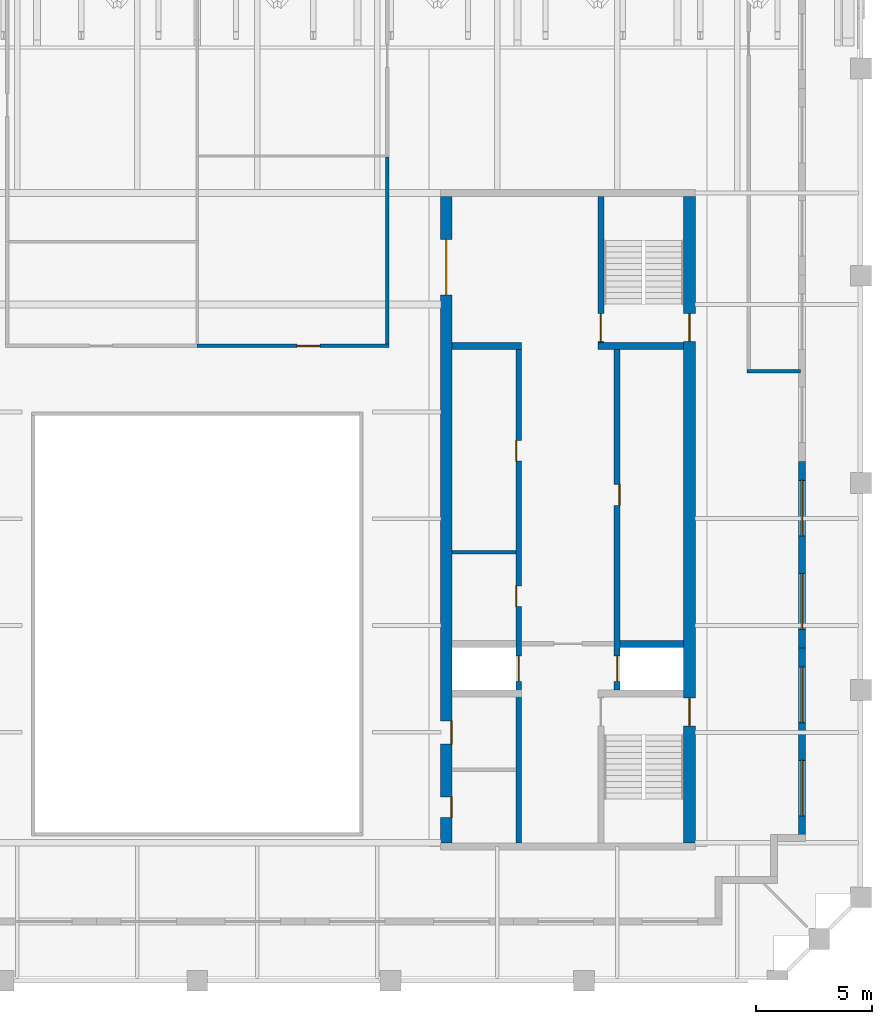
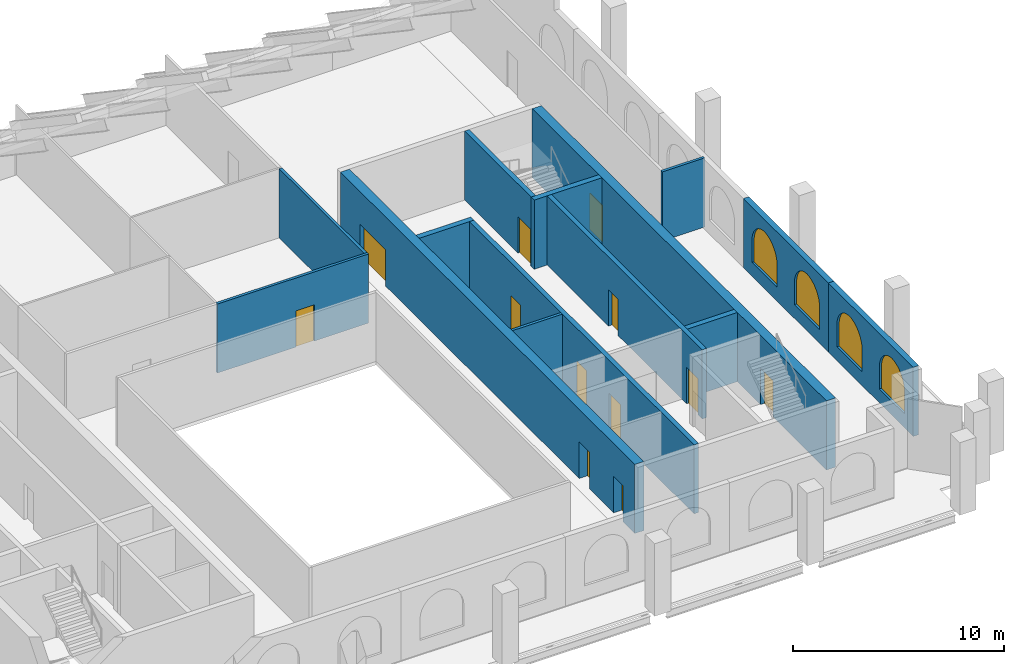
# One storey, part 5 of 8: 14 walls, 12 doors, 4 windows, 16 openings.
"""IFC4 building model written with IfcOpenShell, lengths in metres."""

from ifc_helpers import new_model, si_unit, direction, frame, frame_2d, origin, place, context, subcontext, project, spatial, polyline, rectangle, outline, extrude, material, layer, layer_set, type_object, element, fill, save


model = new_model("IFC4")

# Units and contexts
model_context = context("Model", 3, precision=1e-05, world=origin(), true_north=direction((0.0, 1.0)))
body_context = subcontext(model_context, "Body", "Model", "MODEL_VIEW")
ifc_project = project(units=[si_unit("LENGTHUNIT", "METRE"), si_unit("AREAUNIT", "SQUARE_METRE"), si_unit("VOLUMEUNIT", "CUBIC_METRE"), si_unit("PLANEANGLEUNIT", "RADIAN"), si_unit("MASSUNIT", "GRAM", prefix="KILO")], contexts=[model_context])

# Site, building, storey
site_placement = place(None, origin())
site = spatial("IfcSite", under=ifc_project, at=site_placement, CompositionType="ELEMENT")
building_placement = place(site_placement, origin())
building = spatial("IfcBuilding", under=site, at=building_placement, Name="Ogive Exchange Tower", CompositionType="ELEMENT")
storey_placement = place(building_placement, frame((0.0, 0.0, 381.60009765625)))
storey = spatial("IfcBuildingStorey", under=building, at=storey_placement, Name="C04", CompositionType="ELEMENT", Elevation=381.60009765625)

# Walls
ifc_material_1 = material(Name="Gypsum board partition")
ifc_layer_1 = layer(ifc_material_1, 0.14990234375)
ifc_layer_set_1 = layer_set([ifc_layer_1], Name="Core room partition 150 gypsum")
wall_type_1 = type_object("IfcWallType", Name="Core room partition 150 gypsum", PredefinedType="PARTITIONING", material=ifc_layer_set_1)
wall_1_placement = place(storey_placement, frame((11.0, 10.10009765625, 0.0), z_axis=(0.0, 0.0, 1.0), x_axis=(1.0, 0.0, 0.0)))
element("IfcWall", 1, at=wall_1_placement, inside=storey, type_object=wall_type_1, Name="E row B bay partition 1-1", PredefinedType="PARTITIONING", context=body_context, shape_type="SweptSolid", body=[
    extrude(rectangle(XDim=2.75, YDim=0.14990234375, at=frame_2d((1.375, 0.0))), origin(), (0.0, 0.0, 1.0), 4.0),
])
ifc_layer_2 = layer(ifc_material_1, 0.300048828125)
ifc_layer_set_2 = layer_set([ifc_layer_2], Name="Core room partition 300 gypsum")
wall_type_2 = type_object("IfcWallType", Name="Core room partition 300 gypsum", PredefinedType="PARTITIONING", material=ifc_layer_set_2)
wall_2_placement = place(storey_placement, frame((11.0, 19.0, 0.0), z_axis=(0.0, 0.0, 1.0), x_axis=(1.0, 0.0, 0.0)))
element("IfcWall", 2, at=wall_2_placement, inside=storey, type_object=wall_type_2, Name="E row B room end wall 7", PredefinedType="PARTITIONING", context=body_context, shape_type="SweptSolid", body=[
    extrude(rectangle(XDim=3.0, YDim=0.300048828125, at=frame_2d((1.5, 0.0))), origin(), (0.0, 0.0, 1.0), 4.0),
])

# Wall, opening, door
ifc_material_2 = material(Name="Fire partition EI 60 150")
ifc_layer_3 = layer(ifc_material_2, 0.14990234375)
ifc_layer_set_3 = layer_set([ifc_layer_3], Name="Fire partition EI 60 150")
wall_type_3 = type_object("IfcWallType", Name="Fire partition EI 60 150", PredefinedType="PARTITIONING", material=ifc_layer_set_3)
wall_3_placement = place(storey_placement, frame((0.0, 19.0, 0.0), z_axis=(0.0, 0.0, 1.0), x_axis=(1.0, 0.0, 0.0)))
wall_3 = element("IfcWall", 3, at=wall_3_placement, inside=storey, type_object=wall_type_3, Name="C04-PWL-008", PredefinedType="PARTITIONING", context=body_context, shape_type="SweptSolid", body=[
    extrude(rectangle(XDim=8.27490234375, YDim=0.14990234375, at=frame_2d((4.137451171875, 0.0))), origin(), (0.0, 0.0, 1.0), 4.0),
])
opening_1_placement = place(wall_3_placement, frame((4.300048828125, 0.0, 0.0)))
opening_1 = element("IfcOpeningElement", 4, at=opening_1_placement, cuts=wall_3, Name="Opening C04-I01", PredefinedType="OPENING", context=body_context, shape_type="SweptSolid", body=[
    extrude(rectangle(XDim=1.0, YDim=2.10009765625, at=frame_2d((0.5, 1.050048828125))), frame((0.0, 0.0849609375, 0.0), z_axis=(0.0, -1.0, 0.0), x_axis=(1.0, 0.0, 0.0)), (0.0, 0.0, 1.0), 0.169921875),
])
ifc_material_3 = material(Name="Fire door FD 30S 1000 x 2100")
door_type_1 = type_object("IfcDoorType", Name="Fire door FD 30S 1000 x 2100", OperationType="NOTDEFINED", PredefinedType="DOOR", material=ifc_material_3)
door_1_placement = place(opening_1_placement, origin())
door_1 = element("IfcDoor", 5, at=door_1_placement, inside=storey, type_object=door_type_1, Name="C04-IDR-001", ObjectType="DT3", OperationType="SINGLE_SWING_LEFT", OverallHeight=2.10009765625, OverallWidth=1.0, PredefinedType="DOOR", context=body_context, shape_type="SweptSolid", body=[
    extrude(rectangle(XDim=1.0, YDim=2.10009765625, at=frame_2d((0.5, 1.050048828125))), frame((0.0, 0.02490234375, 0.0), z_axis=(0.0, -1.0, 0.0), x_axis=(1.0, 0.0, 0.0)), (0.0, 0.0, 1.0), 0.050048828125),
])
fill(opening_1, door_1)

# Walls
wall_4_placement = place(storey_placement, frame((8.199951171875, 19.074951171875, 0.0), z_axis=(0.0, 0.0, 1.0), x_axis=(0.0, 1.0, 0.0)))
element("IfcWall", 6, at=wall_4_placement, inside=storey, type_object=wall_type_3, Name="C04-PWL-012", PredefinedType="PARTITIONING", context=body_context, shape_type="SweptSolid", body=[
    extrude(rectangle(XDim=8.074951171875, YDim=0.14990234375, at=frame_2d((4.03759765625, 0.0))), origin(), (0.0, 0.0, 1.0), 4.0),
])
wall_5_placement = place(storey_placement, frame((23.72509765625, 17.909912109375, 0.0), z_axis=(0.0, 0.0, 1.0), x_axis=(1.0, 0.0, 0.0)))
element("IfcWall", 7, at=wall_5_placement, inside=storey, type_object=wall_type_3, Name="C04-PWL-014", PredefinedType="PARTITIONING", context=body_context, shape_type="SweptSolid", body=[
    extrude(rectangle(XDim=2.324951171875, YDim=0.14990234375, at=frame_2d((1.16259765625, 0.0))), origin(), (0.0, 0.0, 1.0), 4.0),
])

# Wall, opening, door
ifc_material_4 = material(Name="Concrete C70/85", Category="concrete")
ifc_layer_4 = layer(ifc_material_4, 0.25)
ifc_layer_set_4 = layer_set([ifc_layer_4], Name="RC core wall 250 C70/85")
wall_type_4 = type_object("IfcWallType", Name="RC core wall 250 C70/85", PredefinedType="SHEAR", material=ifc_layer_set_4)
wall_6_placement = place(storey_placement, frame((17.425048828125, 19.14990234375, 0.0), z_axis=(0.0, 0.0, 1.0), x_axis=(0.0, 1.0, 0.0)))
wall_6 = element("IfcWall", 8, at=wall_6_placement, inside=storey, type_object=wall_type_4, Name="E stair N front wall", PredefinedType="SHEAR", context=body_context, shape_type="SweptSolid", body=[
    extrude(rectangle(XDim=6.300048828125, YDim=0.25, at=frame_2d((3.14990234375, 0.0))), origin(), (0.0, 0.0, 1.0), 4.0),
])
opening_2_placement = place(wall_6_placement, frame((0.050048828125, 0.0, 0.0)))
opening_2 = element("IfcOpeningElement", 9, at=opening_2_placement, cuts=wall_6, Name="Opening C04-C23", PredefinedType="OPENING", context=body_context, shape_type="SweptSolid", body=[
    extrude(rectangle(XDim=1.199951171875, YDim=2.10009765625, at=frame_2d((0.60009765625, 1.050048828125))), frame((0.0, 0.135009765625, 0.0), z_axis=(0.0, -1.0, 0.0), x_axis=(1.0, 0.0, 0.0)), (0.0, 0.0, 1.0), 0.27001953125),
])
ifc_material_5 = material(Name="Steel fire door", Category="steel")
door_type_2 = type_object("IfcDoorType", Name="Stair door FD90 1200 x 2100", OperationType="NOTDEFINED", PredefinedType="DOOR", material=ifc_material_5)
door_2_placement = place(opening_2_placement, frame((1.199951171875, 0.0, 0.0), z_axis=(0.0, 0.0, 1.0), x_axis=(-1.0, 0.0, 0.0)))
door_2 = element("IfcDoor", 10, at=door_2_placement, inside=storey, type_object=door_type_2, Name="Stair door", ObjectType="CD5", OperationType="SINGLE_SWING_LEFT", OverallHeight=2.10009765625, OverallWidth=1.199951171875, PredefinedType="DOOR", context=body_context, shape_type="SweptSolid", body=[
    extrude(rectangle(XDim=1.199951171875, YDim=2.10009765625, at=frame_2d((0.60009765625, 1.050048828125))), frame((0.0, 0.02490234375, 0.0), z_axis=(0.0, -1.0, 0.0), x_axis=(1.0, 0.0, 0.0)), (0.0, 0.0, 1.0), 0.050048828125),
])
fill(opening_2, door_2)

# Wall, openings, doors
wall_7_placement = place(storey_placement, frame((18.125, 4.14990234375, 0.0), z_axis=(0.0, 0.0, 1.0), x_axis=(0.0, 1.0, 0.0)))
wall_7 = element("IfcWall", 11, at=wall_7_placement, inside=storey, type_object=wall_type_4, Name="E row A front wall", PredefinedType="SHEAR", context=body_context, shape_type="SweptSolid", body=[
    extrude(rectangle(XDim=14.7001953125, YDim=0.25, at=frame_2d((7.35009765625, 0.0))), origin(), (0.0, 0.0, 1.0), 4.0),
])
opening_3_placement = place(wall_7_placement, frame((7.971435546875, 0.0, 0.0)))
opening_3 = element("IfcOpeningElement", 12, at=opening_3_placement, cuts=wall_7, Name="Opening C04-C14", PredefinedType="OPENING", context=body_context, shape_type="SweptSolid", body=[
    extrude(rectangle(XDim=0.89990234375, YDim=2.10009765625, at=frame_2d((0.449951171875, 1.050048828125))), frame((0.0, 0.135009765625, 0.0), z_axis=(0.0, -1.0, 0.0), x_axis=(1.0, 0.0, 0.0)), (0.0, 0.0, 1.0), 0.27001953125),
])
opening_4_placement = place(wall_7_placement, frame((0.371337890625, 0.0, 0.0)))
opening_4 = element("IfcOpeningElement", 13, at=opening_4_placement, cuts=wall_7, Name="Opening C04-C15", PredefinedType="OPENING", context=body_context, shape_type="SweptSolid", body=[
    extrude(rectangle(XDim=1.10009765625, YDim=2.10009765625, at=frame_2d((0.550048828125, 1.050048828125))), frame((0.0, 0.135009765625, 0.0), z_axis=(0.0, -1.0, 0.0), x_axis=(1.0, 0.0, 0.0)), (0.0, 0.0, 1.0), 0.27001953125),
])
ifc_material_6 = material(Name="Stainless steel", Category="steel")
door_type_3 = type_object("IfcDoorType", Name="Lift landing door FD90 1100 x 2100", OperationType="SLIDING_TO_LEFT", PredefinedType="DOOR", material=ifc_material_6)
door_3_placement = place(opening_4_placement, origin())
door_3 = element("IfcDoor", 14, at=door_3_placement, inside=storey, type_object=door_type_3, Name="Lift landing door FF2", ObjectType="LD", OperationType="SLIDING_TO_LEFT", OverallHeight=2.10009765625, OverallWidth=1.10009765625, PredefinedType="DOOR", context=body_context, shape_type="SweptSolid", body=[
    extrude(rectangle(XDim=1.10009765625, YDim=2.10009765625, at=frame_2d((0.550048828125, 1.050048828125))), frame((0.0, 0.02490234375, 0.0), z_axis=(0.0, -1.0, 0.0), x_axis=(1.0, 0.0, 0.0)), (0.0, 0.0, 1.0), 0.050048828125),
])
fill(opening_4, door_3)
door_type_4 = type_object("IfcDoorType", Name="Riser door FD60 900 x 2100", OperationType="NOTDEFINED", PredefinedType="DOOR", material=ifc_material_5)
door_4_placement = place(opening_3_placement, frame((0.89990234375, -0.2001953125, 0.0), z_axis=(0.0, 0.0, 1.0), x_axis=(-1.0, 0.0, 0.0)))
door_4 = element("IfcDoor", 15, at=door_4_placement, inside=storey, type_object=door_type_4, Name="Riser door", ObjectType="CD2", OperationType="SINGLE_SWING_LEFT", OverallHeight=2.10009765625, OverallWidth=0.89990234375, PredefinedType="DOOR", context=body_context, shape_type="SweptSolid", body=[
    extrude(rectangle(XDim=0.89990234375, YDim=2.10009765625, at=frame_2d((0.449951171875, 1.050048828125))), frame((0.0, -0.0751953125, 0.0), z_axis=(0.0, -1.0, 0.0), x_axis=(1.0, 0.0, 0.0)), (0.0, 0.0, 1.0), 0.050048828125),
])
fill(opening_3, door_4)

wall_8_placement = place(storey_placement, frame((13.875, -2.449951171875, 0.0), z_axis=(0.0, 0.0, 1.0), x_axis=(0.0, 1.0, 0.0)))
wall_8 = element("IfcWall", 16, at=wall_8_placement, inside=storey, type_object=wall_type_4, Name="E row B front wall", PredefinedType="SHEAR", context=body_context, shape_type="SweptSolid", body=[
    extrude(rectangle(XDim=21.300048828125, YDim=0.25, at=frame_2d((10.64990234375, 0.0))), origin(), (0.0, 0.0, 1.0), 4.0),
])
opening_5_placement = place(wall_8_placement, frame((10.1962890625, 0.0, 0.0)))
opening_5 = element("IfcOpeningElement", 17, at=opening_5_placement, cuts=wall_8, Name="Opening C04-C16", PredefinedType="OPENING", context=body_context, shape_type="SweptSolid", body=[
    extrude(rectangle(XDim=0.89990234375, YDim=2.10009765625, at=frame_2d((0.449951171875, 1.050048828125))), frame((0.0, 0.135009765625, 0.0), z_axis=(0.0, -1.0, 0.0), x_axis=(1.0, 0.0, 0.0)), (0.0, 0.0, 1.0), 0.27001953125),
])
opening_6_placement = place(wall_8_placement, frame((16.47509765625, 0.0, 0.0)))
opening_6 = element("IfcOpeningElement", 18, at=opening_6_placement, cuts=wall_8, Name="Opening C04-C17", PredefinedType="OPENING", context=body_context, shape_type="SweptSolid", body=[
    extrude(rectangle(XDim=0.89990234375, YDim=2.10009765625, at=frame_2d((0.449951171875, 1.050048828125))), frame((0.0, 0.135009765625, 0.0), z_axis=(0.0, -1.0, 0.0), x_axis=(1.0, 0.0, 0.0)), (0.0, 0.0, 1.0), 0.27001953125),
])
opening_7_placement = place(wall_8_placement, frame((6.971435546875, 0.0, 0.0)))
opening_7 = element("IfcOpeningElement", 19, at=opening_7_placement, cuts=wall_8, Name="Opening C04-C18", PredefinedType="OPENING", context=body_context, shape_type="SweptSolid", body=[
    extrude(rectangle(XDim=1.10009765625, YDim=2.10009765625, at=frame_2d((0.550048828125, 1.050048828125))), frame((0.0, 0.135009765625, 0.0), z_axis=(0.0, -1.0, 0.0), x_axis=(1.0, 0.0, 0.0)), (0.0, 0.0, 1.0), 0.27001953125),
])
door_5_placement = place(opening_7_placement, origin())
door_5 = element("IfcDoor", 20, at=door_5_placement, inside=storey, type_object=door_type_3, Name="Lift landing door SV2", ObjectType="LD", OperationType="SLIDING_TO_LEFT", OverallHeight=2.10009765625, OverallWidth=1.10009765625, PredefinedType="DOOR", context=body_context, shape_type="SweptSolid", body=[
    extrude(rectangle(XDim=1.10009765625, YDim=2.10009765625, at=frame_2d((0.550048828125, 1.050048828125))), frame((0.0, 0.02490234375, 0.0), z_axis=(0.0, -1.0, 0.0), x_axis=(1.0, 0.0, 0.0)), (0.0, 0.0, 1.0), 0.050048828125),
])
fill(opening_7, door_5)
door_6_placement = place(opening_5_placement, origin())
door_6 = element("IfcDoor", 21, at=door_6_placement, inside=storey, type_object=door_type_4, Name="Riser door", ObjectType="CD2", OperationType="SINGLE_SWING_RIGHT", OverallHeight=2.10009765625, OverallWidth=0.89990234375, PredefinedType="DOOR", context=body_context, shape_type="SweptSolid", body=[
    extrude(rectangle(XDim=0.89990234375, YDim=2.10009765625, at=frame_2d((0.449951171875, 1.050048828125))), frame((0.0, 0.125, 0.0), z_axis=(0.0, -1.0, 0.0), x_axis=(1.0, 0.0, 0.0)), (0.0, 0.0, 1.0), 0.050048828125),
])
fill(opening_5, door_6)
door_7_placement = place(opening_6_placement, origin())
door_7 = element("IfcDoor", 22, at=door_7_placement, inside=storey, type_object=door_type_4, Name="Riser door", ObjectType="CD2", OperationType="SINGLE_SWING_RIGHT", OverallHeight=2.10009765625, OverallWidth=0.89990234375, PredefinedType="DOOR", context=body_context, shape_type="SweptSolid", body=[
    extrude(rectangle(XDim=0.89990234375, YDim=2.10009765625, at=frame_2d((0.449951171875, 1.050048828125))), frame((0.0, 0.125, 0.0), z_axis=(0.0, -1.0, 0.0), x_axis=(1.0, 0.0, 0.0)), (0.0, 0.0, 1.0), 0.050048828125),
])
fill(opening_6, door_7)

# Walls
ifc_layer_5 = layer(ifc_material_4, 0.300048828125)
ifc_layer_set_5 = layer_set([ifc_layer_5], Name="RC core wall 300 C70/85")
wall_type_5 = type_object("IfcWallType", Name="RC core wall 300 C70/85", PredefinedType="SHEAR", material=ifc_layer_set_5)
wall_9_placement = place(storey_placement, frame((17.300048828125, 19.0, 0.0), z_axis=(0.0, 0.0, 1.0), x_axis=(1.0, 0.0, 0.0)))
element("IfcWall", 23, at=wall_9_placement, inside=storey, type_object=wall_type_5, Name="E stair N south wall", PredefinedType="SHEAR", context=body_context, shape_type="SweptSolid", body=[
    extrude(rectangle(XDim=3.699951171875, YDim=0.300048828125, at=frame_2d((1.85009765625, 0.0))), origin(), (0.0, 0.0, 1.0), 4.0),
])
wall_10_placement = place(storey_placement, frame((18.25, 6.142822265625, 0.0), z_axis=(0.0, 0.0, 1.0), x_axis=(1.0, 0.0, 0.0)))
element("IfcWall", 24, at=wall_10_placement, inside=storey, type_object=wall_type_5, Name="E row A divider 1", PredefinedType="SHEAR", context=body_context, shape_type="SweptSolid", body=[
    extrude(rectangle(XDim=2.75, YDim=0.300048828125, at=frame_2d((1.375, 0.0))), origin(), (0.0, 0.0, 1.0), 4.0),
])

# Wall, openings, doors
ifc_layer_6 = layer(ifc_material_4, 0.5)
ifc_layer_set_6 = layer_set([ifc_layer_6], Name="RC core wall 500 C70/85")
wall_type_6 = type_object("IfcWallType", Name="RC core wall 500 C70/85", PredefinedType="SHEAR", material=ifc_layer_set_6)
wall_11_placement = place(storey_placement, frame((21.25, -2.449951171875, 0.0), z_axis=(0.0, 0.0, 1.0), x_axis=(0.0, 1.0, 0.0)))
wall_11 = element("IfcWall", 25, at=wall_11_placement, inside=storey, type_object=wall_type_6, Name="E outer wall", PredefinedType="SHEAR", context=body_context, shape_type="SweptSolid", body=[
    extrude(rectangle(XDim=27.89990234375, YDim=0.5, at=frame_2d((13.949951171875, 0.0))), origin(), (0.0, 0.0, 1.0), 4.0),
])
opening_8_placement = place(wall_11_placement, frame((5.050048828125, 0.0, 0.0)))
opening_8 = element("IfcOpeningElement", 26, at=opening_8_placement, cuts=wall_11, Name="Opening C04-C22", PredefinedType="OPENING", context=body_context, shape_type="SweptSolid", body=[
    extrude(rectangle(XDim=1.199951171875, YDim=2.10009765625, at=frame_2d((0.60009765625, 1.050048828125))), frame((0.0, 0.260009765625, 0.0), z_axis=(0.0, -1.0, 0.0), x_axis=(1.0, 0.0, 0.0)), (0.0, 0.0, 1.0), 0.52001953125),
])
opening_9_placement = place(wall_11_placement, frame((21.64990234375, 0.0, 0.0)))
opening_9 = element("IfcOpeningElement", 27, at=opening_9_placement, cuts=wall_11, Name="Opening C04-C24", PredefinedType="OPENING", context=body_context, shape_type="SweptSolid", body=[
    extrude(rectangle(XDim=1.199951171875, YDim=2.10009765625, at=frame_2d((0.60009765625, 1.050048828125))), frame((0.0, 0.260009765625, 0.0), z_axis=(0.0, -1.0, 0.0), x_axis=(1.0, 0.0, 0.0)), (0.0, 0.0, 1.0), 0.52001953125),
])
door_8_placement = place(opening_8_placement, frame((1.199951171875, 0.0, 0.0), z_axis=(0.0, 0.0, 1.0), x_axis=(-1.0, 0.0, 0.0)))
door_8 = element("IfcDoor", 28, at=door_8_placement, inside=storey, type_object=door_type_2, Name="Stair door", ObjectType="CD5", OperationType="SINGLE_SWING_LEFT", OverallHeight=2.10009765625, OverallWidth=1.199951171875, PredefinedType="DOOR", context=body_context, shape_type="SweptSolid", body=[
    extrude(rectangle(XDim=1.199951171875, YDim=2.10009765625, at=frame_2d((0.60009765625, 1.050048828125))), frame((0.0, 0.02490234375, 0.0), z_axis=(0.0, -1.0, 0.0), x_axis=(1.0, 0.0, 0.0)), (0.0, 0.0, 1.0), 0.050048828125),
])
fill(opening_8, door_8)
door_9_placement = place(opening_9_placement, frame((1.199951171875, 0.0, 0.0), z_axis=(0.0, 0.0, 1.0), x_axis=(-1.0, 0.0, 0.0)))
door_9 = element("IfcDoor", 29, at=door_9_placement, inside=storey, type_object=door_type_2, Name="Stair door", ObjectType="CD5", OperationType="SINGLE_SWING_RIGHT", OverallHeight=2.10009765625, OverallWidth=1.199951171875, PredefinedType="DOOR", context=body_context, shape_type="SweptSolid", body=[
    extrude(rectangle(XDim=1.199951171875, YDim=2.10009765625, at=frame_2d((0.60009765625, 1.050048828125))), frame((0.0, 0.02490234375, 0.0), z_axis=(0.0, -1.0, 0.0), x_axis=(1.0, 0.0, 0.0)), (0.0, 0.0, 1.0), 0.050048828125),
])
fill(opening_9, door_9)

wall_12_placement = place(storey_placement, frame((10.75, -2.449951171875, 0.0), z_axis=(0.0, 0.0, 1.0), x_axis=(0.0, 1.0, 0.0)))
wall_12 = element("IfcWall", 30, at=wall_12_placement, inside=storey, type_object=wall_type_6, Name="E inner wall", PredefinedType="SHEAR", context=body_context, shape_type="SweptSolid", body=[
    extrude(rectangle(XDim=27.89990234375, YDim=0.5, at=frame_2d((13.949951171875, 0.0))), origin(), (0.0, 0.0, 1.0), 4.0),
])
opening_10_placement = place(wall_12_placement, frame((23.64990234375, 0.0, 0.0)))
opening_10 = element("IfcOpeningElement", 31, at=opening_10_placement, cuts=wall_12, Name="Opening C04-C20", PredefinedType="OPENING", context=body_context, shape_type="SweptSolid", body=[
    extrude(rectangle(XDim=2.39990234375, YDim=2.10009765625, at=frame_2d((1.199951171875, 1.050048828125))), frame((0.0, 0.260009765625, 0.0), z_axis=(0.0, -1.0, 0.0), x_axis=(1.0, 0.0, 0.0)), (0.0, 0.0, 1.0), 0.52001953125),
])
opening_11_placement = place(wall_12_placement, frame((1.08740234375, 0.0, 0.0)))
opening_11 = element("IfcOpeningElement", 32, at=opening_11_placement, cuts=wall_12, Name="Opening C04-C25", PredefinedType="OPENING", context=body_context, shape_type="SweptSolid", body=[
    extrude(rectangle(XDim=0.89990234375, YDim=2.10009765625, at=frame_2d((0.449951171875, 1.050048828125))), frame((0.0, 0.260009765625, 0.0), z_axis=(0.0, -1.0, 0.0), x_axis=(1.0, 0.0, 0.0)), (0.0, 0.0, 1.0), 0.52001953125),
])
opening_12_placement = place(wall_12_placement, frame((4.262451171875, 0.0, 0.0)))
opening_12 = element("IfcOpeningElement", 33, at=opening_12_placement, cuts=wall_12, Name="Opening C04-C26", PredefinedType="OPENING", context=body_context, shape_type="SweptSolid", body=[
    extrude(rectangle(XDim=1.0, YDim=2.10009765625, at=frame_2d((0.5, 1.050048828125))), frame((0.0, 0.260009765625, 0.0), z_axis=(0.0, -1.0, 0.0), x_axis=(1.0, 0.0, 0.0)), (0.0, 0.0, 1.0), 0.52001953125),
])
ifc_material_7 = material(Name="Timber fire door", Category="wood")
door_type_5 = type_object("IfcDoorType", Name="Accessible WC door FD30S 1000 x 2100", OperationType="NOTDEFINED", PredefinedType="DOOR", material=ifc_material_7)
door_10_placement = place(opening_12_placement, origin())
door_10 = element("IfcDoor", 34, at=door_10_placement, inside=storey, type_object=door_type_5, Name="Accessible WC door", ObjectType="CD7", OperationType="SINGLE_SWING_LEFT", OverallHeight=2.10009765625, OverallWidth=1.0, PredefinedType="DOOR", context=body_context, shape_type="SweptSolid", body=[
    extrude(rectangle(XDim=1.0, YDim=2.10009765625, at=frame_2d((0.5, 1.050048828125))), frame((0.0, -0.2001953125, 0.0), z_axis=(0.0, -1.0, 0.0), x_axis=(1.0, 0.0, 0.0)), (0.0, 0.0, 1.0), 0.050048828125),
])
fill(opening_12, door_10)
door_type_6 = type_object("IfcDoorType", Name="Core room door FD30S 900 x 2100", OperationType="NOTDEFINED", PredefinedType="DOOR", material=ifc_material_7)
door_11_placement = place(opening_11_placement, origin())
door_11 = element("IfcDoor", 35, at=door_11_placement, inside=storey, type_object=door_type_6, Name="Core room door", ObjectType="CD6", OperationType="SINGLE_SWING_LEFT", OverallHeight=2.10009765625, OverallWidth=0.89990234375, PredefinedType="DOOR", context=body_context, shape_type="SweptSolid", body=[
    extrude(rectangle(XDim=0.89990234375, YDim=2.10009765625, at=frame_2d((0.449951171875, 1.050048828125))), frame((0.0, -0.2001953125, 0.0), z_axis=(0.0, -1.0, 0.0), x_axis=(1.0, 0.0, 0.0)), (0.0, 0.0, 1.0), 0.050048828125),
])
fill(opening_11, door_11)
ifc_material_8 = material(Name="Glazed steel fire door", Category="steel")
door_type_7 = type_object("IfcDoorType", Name="Lift lobby double door FD60 2400 x 2100", OperationType="DOUBLE_DOOR_SINGLE_SWING", PredefinedType="DOOR", material=ifc_material_8)
door_12_placement = place(opening_10_placement, origin())
door_12 = element("IfcDoor", 36, at=door_12_placement, inside=storey, type_object=door_type_7, Name="Lift lobby double door", ObjectType="CD4", OperationType="DOUBLE_DOOR_SINGLE_SWING", OverallHeight=2.10009765625, OverallWidth=2.39990234375, PredefinedType="DOOR", context=body_context, shape_type="SweptSolid", body=[
    extrude(rectangle(XDim=2.39990234375, YDim=2.10009765625, at=frame_2d((1.199951171875, 1.050048828125))), frame((0.0, 0.02490234375, 0.0), z_axis=(0.0, -1.0, 0.0), x_axis=(1.0, 0.0, 0.0)), (0.0, 0.0, 1.0), 0.050048828125),
])
fill(opening_10, door_12)

# Wall, openings, windows
ifc_material_9 = material(Name="Precast concrete C40/50", Category="concrete")
ifc_layer_7 = layer(ifc_material_9, 0.300048828125)
ifc_layer_set_7 = layer_set([ifc_layer_7], Name="Zinc-clad crown wall 300")
wall_type_7 = type_object("IfcWallType", Name="Zinc-clad crown wall 300", PredefinedType="STANDARD", material=ifc_layer_set_7)
wall_13_placement = place(storey_placement, frame((26.10009765625, -2.10009765625, 0.0), z_axis=(0.0, 0.0, 1.0), x_axis=(0.0, 1.0, 0.0)))
wall_13 = element("IfcWall", 37, at=wall_13_placement, inside=storey, type_object=wall_type_7, Name="Crown wall 13", PredefinedType="STANDARD", context=body_context, shape_type="SweptSolid", body=[
    extrude(rectangle(XDim=8.054931640625, YDim=0.300048828125, at=frame_2d((4.02734375, 0.0))), origin(), (0.0, 0.0, 1.0), 4.0),
])
opening_13_placement = place(wall_13_placement, frame((0.813720703125, 0.0, 0.800048828125)))
opening_13 = element("IfcOpeningElement", 38, at=opening_13_placement, cuts=wall_13, Name="Opening WC25", PredefinedType="OPENING", context=body_context, shape_type="SweptSolid", body=[
    extrude(outline(polyline([(0.0, 0.0), (2.39990234375, 0.0), (2.39990234375, 1.25), (2.377197265625, 1.48779296875), (2.3095703125, 1.717041015625), (2.19970703125, 1.928955078125), (2.05126953125, 2.116455078125), (1.8701171875, 2.272216796875), (1.662841796875, 2.390625), (1.4365234375, 2.467529296875), (1.199951171875, 2.5), (0.96337890625, 2.467529296875), (0.737060546875, 2.390625), (0.52978515625, 2.272216796875), (0.3486328125, 2.116455078125), (0.2001953125, 1.928955078125), (0.09033203125, 1.717041015625), (0.022705078125, 1.48779296875), (0.0, 1.25), (0.0, 0.0)])), frame((0.0, 0.159912109375, 0.0), z_axis=(0.0, -1.0, 0.0), x_axis=(1.0, 0.0, 0.0)), (0.0, 0.0, 1.0), 0.320068359375),
])
opening_14_placement = place(wall_13_placement, frame((4.84130859375, 0.0, 0.800048828125)))
opening_14 = element("IfcOpeningElement", 39, at=opening_14_placement, cuts=wall_13, Name="Opening WC25", PredefinedType="OPENING", context=body_context, shape_type="SweptSolid", body=[
    extrude(outline(polyline([(0.0, 0.0), (2.39990234375, 0.0), (2.39990234375, 1.25), (2.377197265625, 1.48779296875), (2.3095703125, 1.717041015625), (2.19970703125, 1.928955078125), (2.05126953125, 2.116455078125), (1.8701171875, 2.272216796875), (1.662841796875, 2.390625), (1.4365234375, 2.467529296875), (1.199951171875, 2.5), (0.96337890625, 2.467529296875), (0.737060546875, 2.390625), (0.52978515625, 2.272216796875), (0.3486328125, 2.116455078125), (0.2001953125, 1.928955078125), (0.09033203125, 1.717041015625), (0.022705078125, 1.48779296875), (0.0, 1.25), (0.0, 0.0)])), frame((0.0, 0.159912109375, 0.0), z_axis=(0.0, -1.0, 0.0), x_axis=(1.0, 0.0, 0.0)), (0.0, 0.0, 1.0), 0.320068359375),
])
ifc_material_10 = material(Name="Clear glass in bronze frame", Category="glass")
window_type = type_object("IfcWindowType", Name="Crown lancet window 2400 x 2500", PartitioningType="DOUBLE_PANEL_VERTICAL", PredefinedType="WINDOW", material=ifc_material_10)
window_1_placement = place(opening_13_placement, origin())
window_1 = element("IfcWindow", 40, at=window_1_placement, inside=storey, type_object=window_type, Name="Crown lancet 13.1", OverallHeight=2.5, OverallWidth=2.39990234375, PartitioningType="DOUBLE_PANEL_VERTICAL", PredefinedType="WINDOW", context=body_context, shape_type="SweptSolid", body=[
    extrude(outline(polyline([(0.0, 0.0), (2.39990234375, 0.0), (2.39990234375, 1.25), (2.377197265625, 1.48779296875), (2.3095703125, 1.717041015625), (2.19970703125, 1.928955078125), (2.05126953125, 2.116455078125), (1.8701171875, 2.272216796875), (1.662841796875, 2.390625), (1.4365234375, 2.467529296875), (1.199951171875, 2.5), (0.96337890625, 2.467529296875), (0.737060546875, 2.390625), (0.52978515625, 2.272216796875), (0.3486328125, 2.116455078125), (0.2001953125, 1.928955078125), (0.09033203125, 1.717041015625), (0.022705078125, 1.48779296875), (0.0, 1.25), (0.0, 0.0)])), frame((0.0, 0.030029296875, 0.0), z_axis=(0.0, -1.0, 0.0), x_axis=(1.0, 0.0, 0.0)), (0.0, 0.0, 1.0), 0.06005859375),
])
fill(opening_13, window_1)
window_2_placement = place(opening_14_placement, origin())
window_2 = element("IfcWindow", 41, at=window_2_placement, inside=storey, type_object=window_type, Name="Crown lancet 13.2", OverallHeight=2.5, OverallWidth=2.39990234375, PartitioningType="DOUBLE_PANEL_VERTICAL", PredefinedType="WINDOW", context=body_context, shape_type="SweptSolid", body=[
    extrude(outline(polyline([(0.0, 0.0), (2.39990234375, 0.0), (2.39990234375, 1.25), (2.377197265625, 1.48779296875), (2.3095703125, 1.717041015625), (2.19970703125, 1.928955078125), (2.05126953125, 2.116455078125), (1.8701171875, 2.272216796875), (1.662841796875, 2.390625), (1.4365234375, 2.467529296875), (1.199951171875, 2.5), (0.96337890625, 2.467529296875), (0.737060546875, 2.390625), (0.52978515625, 2.272216796875), (0.3486328125, 2.116455078125), (0.2001953125, 1.928955078125), (0.09033203125, 1.717041015625), (0.022705078125, 1.48779296875), (0.0, 1.25), (0.0, 0.0)])), frame((0.0, 0.030029296875, 0.0), z_axis=(0.0, -1.0, 0.0), x_axis=(1.0, 0.0, 0.0)), (0.0, 0.0, 1.0), 0.06005859375),
])
fill(opening_14, window_2)

wall_14_placement = place(storey_placement, frame((26.10009765625, 5.954833984375, 0.0), z_axis=(0.0, 0.0, 1.0), x_axis=(0.0, 1.0, 0.0)))
wall_14 = element("IfcWall", 42, at=wall_14_placement, inside=storey, type_object=wall_type_7, Name="Crown wall 14", PredefinedType="STANDARD", context=body_context, shape_type="SweptSolid", body=[
    extrude(rectangle(XDim=8.054931640625, YDim=0.300048828125, at=frame_2d((4.02734375, 0.0))), origin(), (0.0, 0.0, 1.0), 4.0),
])
opening_15_placement = place(wall_14_placement, frame((0.813720703125, 0.0, 0.800048828125)))
opening_15 = element("IfcOpeningElement", 43, at=opening_15_placement, cuts=wall_14, Name="Opening WC25", PredefinedType="OPENING", context=body_context, shape_type="SweptSolid", body=[
    extrude(outline(polyline([(0.0, 0.0), (2.39990234375, 0.0), (2.39990234375, 1.25), (2.377197265625, 1.48779296875), (2.3095703125, 1.717041015625), (2.19970703125, 1.928955078125), (2.05126953125, 2.116455078125), (1.8701171875, 2.272216796875), (1.662841796875, 2.390625), (1.4365234375, 2.467529296875), (1.199951171875, 2.5), (0.96337890625, 2.467529296875), (0.737060546875, 2.390625), (0.52978515625, 2.272216796875), (0.3486328125, 2.116455078125), (0.2001953125, 1.928955078125), (0.09033203125, 1.717041015625), (0.022705078125, 1.48779296875), (0.0, 1.25), (0.0, 0.0)])), frame((0.0, 0.159912109375, 0.0), z_axis=(0.0, -1.0, 0.0), x_axis=(1.0, 0.0, 0.0)), (0.0, 0.0, 1.0), 0.320068359375),
])
opening_16_placement = place(wall_14_placement, frame((4.84130859375, 0.0, 0.800048828125)))
opening_16 = element("IfcOpeningElement", 44, at=opening_16_placement, cuts=wall_14, Name="Opening WC25", PredefinedType="OPENING", context=body_context, shape_type="SweptSolid", body=[
    extrude(outline(polyline([(0.0, 0.0), (2.39990234375, 0.0), (2.39990234375, 1.25), (2.377197265625, 1.48779296875), (2.3095703125, 1.717041015625), (2.19970703125, 1.928955078125), (2.05126953125, 2.116455078125), (1.8701171875, 2.272216796875), (1.662841796875, 2.390625), (1.4365234375, 2.467529296875), (1.199951171875, 2.5), (0.96337890625, 2.467529296875), (0.737060546875, 2.390625), (0.52978515625, 2.272216796875), (0.3486328125, 2.116455078125), (0.2001953125, 1.928955078125), (0.09033203125, 1.717041015625), (0.022705078125, 1.48779296875), (0.0, 1.25), (0.0, 0.0)])), frame((0.0, 0.159912109375, 0.0), z_axis=(0.0, -1.0, 0.0), x_axis=(1.0, 0.0, 0.0)), (0.0, 0.0, 1.0), 0.320068359375),
])
window_3_placement = place(opening_15_placement, origin())
window_3 = element("IfcWindow", 45, at=window_3_placement, inside=storey, type_object=window_type, Name="Crown lancet 14.1", OverallHeight=2.5, OverallWidth=2.39990234375, PartitioningType="DOUBLE_PANEL_VERTICAL", PredefinedType="WINDOW", context=body_context, shape_type="SweptSolid", body=[
    extrude(outline(polyline([(0.0, 0.0), (2.39990234375, 0.0), (2.39990234375, 1.25), (2.377197265625, 1.48779296875), (2.3095703125, 1.717041015625), (2.19970703125, 1.928955078125), (2.05126953125, 2.116455078125), (1.8701171875, 2.272216796875), (1.662841796875, 2.390625), (1.4365234375, 2.467529296875), (1.199951171875, 2.5), (0.96337890625, 2.467529296875), (0.737060546875, 2.390625), (0.52978515625, 2.272216796875), (0.3486328125, 2.116455078125), (0.2001953125, 1.928955078125), (0.09033203125, 1.717041015625), (0.022705078125, 1.48779296875), (0.0, 1.25), (0.0, 0.0)])), frame((0.0, 0.030029296875, 0.0), z_axis=(0.0, -1.0, 0.0), x_axis=(1.0, 0.0, 0.0)), (0.0, 0.0, 1.0), 0.06005859375),
])
fill(opening_15, window_3)
window_4_placement = place(opening_16_placement, origin())
window_4 = element("IfcWindow", 46, at=window_4_placement, inside=storey, type_object=window_type, Name="Crown lancet 14.2", OverallHeight=2.5, OverallWidth=2.39990234375, PartitioningType="DOUBLE_PANEL_VERTICAL", PredefinedType="WINDOW", context=body_context, shape_type="SweptSolid", body=[
    extrude(outline(polyline([(0.0, 0.0), (2.39990234375, 0.0), (2.39990234375, 1.25), (2.377197265625, 1.48779296875), (2.3095703125, 1.717041015625), (2.19970703125, 1.928955078125), (2.05126953125, 2.116455078125), (1.8701171875, 2.272216796875), (1.662841796875, 2.390625), (1.4365234375, 2.467529296875), (1.199951171875, 2.5), (0.96337890625, 2.467529296875), (0.737060546875, 2.390625), (0.52978515625, 2.272216796875), (0.3486328125, 2.116455078125), (0.2001953125, 1.928955078125), (0.09033203125, 1.717041015625), (0.022705078125, 1.48779296875), (0.0, 1.25), (0.0, 0.0)])), frame((0.0, 0.030029296875, 0.0), z_axis=(0.0, -1.0, 0.0), x_axis=(1.0, 0.0, 0.0)), (0.0, 0.0, 1.0), 0.06005859375),
])
fill(opening_16, window_4)

save(model, "model.ifc")
